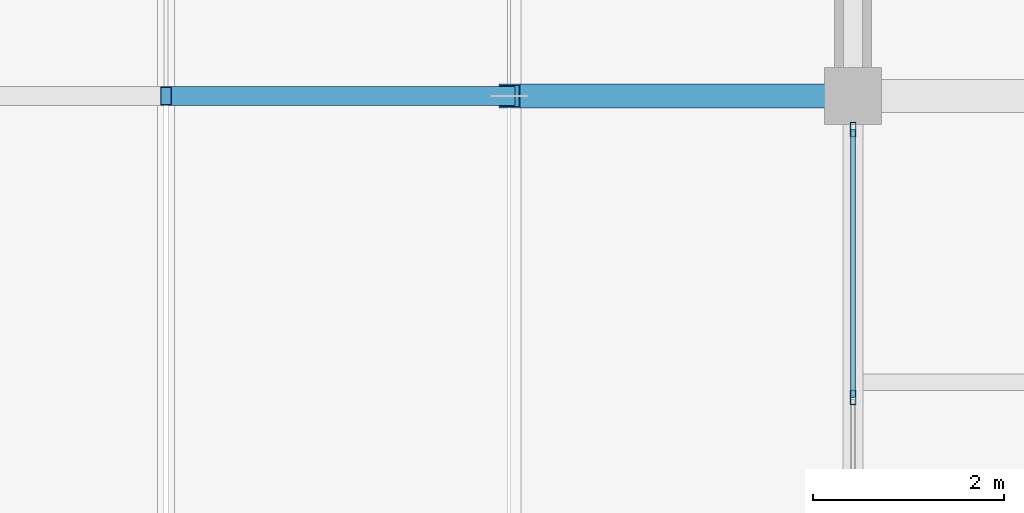
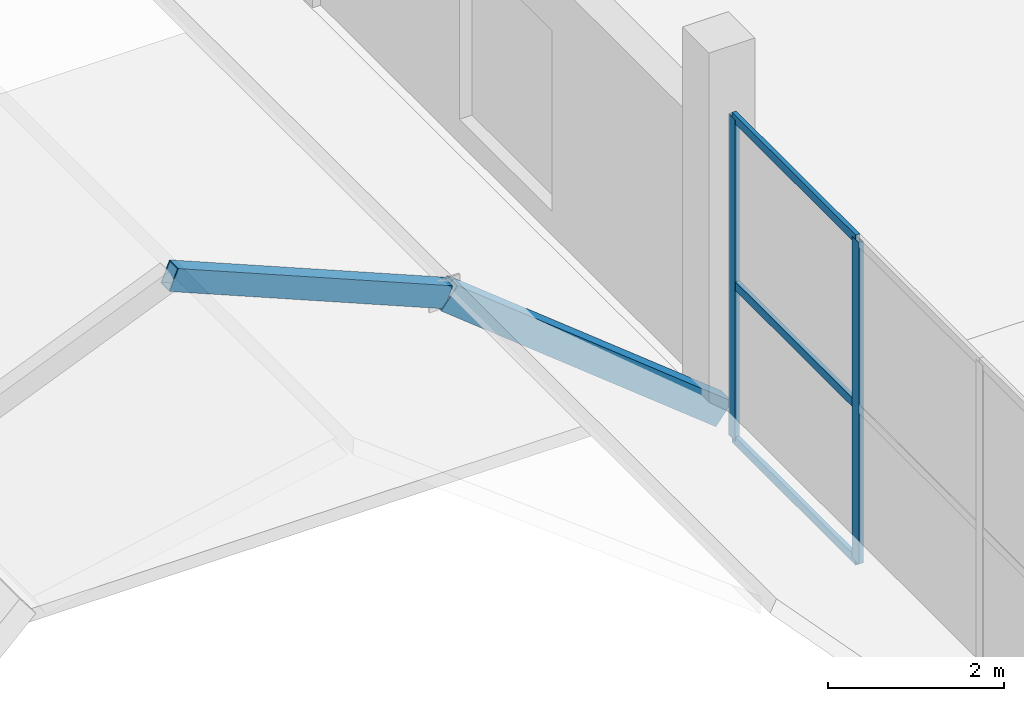
# One storey, part 47 of 141: 7 members, 1 element without a shape of its own.
"""IFC4 building model written with IfcOpenShell, lengths in metres."""

from ifc_helpers import new_model, si_unit, direction, frame, origin, origin_2d, place, context, subcontext, project, spatial, hollow_rectangle, extrude, material, layer, layer_set, material_profile, profile_set, type_object, element, aggregate, save


model = new_model("IFC4")

# Units and contexts
model_context = context("Model", 3, precision=1e-05, world=origin(), true_north=direction((0.0, 1.0)))
body_context = subcontext(model_context, "Body", "Model", "MODEL_VIEW")
ifc_project = project(units=[si_unit("LENGTHUNIT", "METRE"), si_unit("AREAUNIT", "SQUARE_METRE"), si_unit("VOLUMEUNIT", "CUBIC_METRE"), si_unit("PLANEANGLEUNIT", "RADIAN"), si_unit("MASSUNIT", "GRAM", prefix="KILO")], contexts=[model_context])

# Site, building, storey
site_placement = place(None, origin())
site = spatial("IfcSite", under=ifc_project, at=site_placement, CompositionType="ELEMENT")
building_placement = place(site_placement, origin())
building = spatial("IfcBuilding", under=site, at=building_placement, Name="Sundgate Opera House", CompositionType="ELEMENT")
storey_placement = place(building_placement, frame((0.0, 0.0, 11.39990234375)))
storey = spatial("IfcBuildingStorey", under=building, at=storey_placement, Name="L02", CompositionType="ELEMENT", Elevation=11.39990234375)

# Curtain wall, members
ifc_material_1 = material(Name="Anodized aluminium and low-iron glass", Category="aluminium")
ifc_layer = layer(ifc_material_1, 0.159912109375)
ifc_layer_set = layer_set([ifc_layer], Name="Anodized aluminium and low-iron glass")
curtain_wall_type = type_object("IfcCurtainWallType", Name="CW-STUDIO-DARK", PredefinedType="NOTDEFINED", material=ifc_layer_set)
curtain_wall_placement = place(storey_placement, origin())
curtain_wall = element("IfcCurtainWall", 1, at=curtain_wall_placement, inside=storey, type_object=curtain_wall_type, Name="L02 Curtain Wall CW068", PredefinedType="NOTDEFINED")
ifc_material_2 = material(Name="Anodized aluminium EN AW-6063", Category="aluminium")
ifc_material_profile_1 = material_profile(ifc_material_2, hollow_rectangle(XDim=0.06005859375, YDim=0.14990234375, WallThickness=0.00390625, at=origin_2d()), Name="CWM 150x60x4")
ifc_profile_set_1 = profile_set([ifc_material_profile_1], Name="Anodized aluminium EN AW-6063")
member_type_1 = type_object("IfcMemberType", Name="CWM-ALU-150x60", PredefinedType="MULLION", material=ifc_profile_set_1)
member_1_placement = place(storey_placement, frame((95.39990234375, 68.64990234375, 0.0), z_axis=(0.0, 0.0, 1.0), x_axis=(1.0, 0.0, 0.0)))
member_1 = element("IfcMember", 2, at=member_1_placement, type_object=member_type_1, Name="CW068 Mullion 1", PredefinedType="MULLION", context=body_context, shape_type="SweptSolid", body=[
    extrude(hollow_rectangle(XDim=0.06005859375, YDim=0.14990234375, WallThickness=0.00390625, at=origin_2d()), origin(), (0.0, 0.0, 1.0), 4.455078125),
])
member_2_placement = place(storey_placement, frame((95.39990234375, 65.841552734375, 0.0), z_axis=(0.0, 0.0, 1.0), x_axis=(1.0, 0.0, 0.0)))
member_2 = element("IfcMember", 3, at=member_2_placement, type_object=member_type_1, Name="CW068 Mullion 2", PredefinedType="MULLION", context=body_context, shape_type="SweptSolid", body=[
    extrude(hollow_rectangle(XDim=0.06005859375, YDim=0.14990234375, WallThickness=0.00390625, at=origin_2d()), origin(), (0.0, 0.0, 1.0), 4.455078125),
])
ifc_material_3 = material(Name="Anodized aluminium EN AW-6063", Category="aluminium")
ifc_material_profile_2 = material_profile(ifc_material_3, hollow_rectangle(XDim=0.054931640625, YDim=0.1201171875, WallThickness=0.00390625, at=origin_2d()), Name="CWT 120x55x4")
ifc_profile_set_2 = profile_set([ifc_material_profile_2], Name="Anodized aluminium EN AW-6063")
member_type_2 = type_object("IfcMemberType", Name="CWT-ALU-120x55", PredefinedType="USERDEFINED", material=ifc_profile_set_2)
member_3_placement = place(storey_placement, frame((95.39990234375, 68.64990234375, 0.0), z_axis=(0.0, -1.0, 0.0), x_axis=(1.0, 0.0, 0.0)))
member_3 = element("IfcMember", 4, at=member_3_placement, type_object=member_type_2, Name="CW068 Transom 1", ObjectType="TRANSOM", PredefinedType="USERDEFINED", context=body_context, shape_type="SweptSolid", body=[
    extrude(hollow_rectangle(XDim=0.054931640625, YDim=0.1201171875, WallThickness=0.00390625, at=origin_2d()), origin(), (0.0, 0.0, 1.0), 2.808349609375),
])
member_4_placement = place(storey_placement, frame((95.39990234375, 68.64990234375, 2.150146484375), z_axis=(0.0, -1.0, 0.0), x_axis=(1.0, 0.0, 0.0)))
member_4 = element("IfcMember", 5, at=member_4_placement, type_object=member_type_2, Name="CW068 Transom 2", ObjectType="TRANSOM", PredefinedType="USERDEFINED", context=body_context, shape_type="SweptSolid", body=[
    extrude(hollow_rectangle(XDim=0.054931640625, YDim=0.1201171875, WallThickness=0.00390625, at=origin_2d()), origin(), (0.0, 0.0, 1.0), 2.808349609375),
])
member_5_placement = place(storey_placement, frame((95.39990234375, 68.64990234375, 4.455078125), z_axis=(0.0, -1.0, 0.0), x_axis=(1.0, 0.0, 0.0)))
member_5 = element("IfcMember", 6, at=member_5_placement, type_object=member_type_2, Name="CW068 Transom 3", ObjectType="TRANSOM", PredefinedType="USERDEFINED", context=body_context, shape_type="SweptSolid", body=[
    extrude(hollow_rectangle(XDim=0.054931640625, YDim=0.1201171875, WallThickness=0.00390625, at=origin_2d()), origin(), (0.0, 0.0, 1.0), 2.808349609375),
])
aggregate(curtain_wall, [member_1, member_2, member_3, member_4, member_5])

# Members
ifc_material_4 = material(Name="Steel S355J2", Category="steel")
ifc_material_profile_3 = material_profile(ifc_material_4, hollow_rectangle(XDim=0.199951171875, YDim=0.300048828125, WallThickness=0.012451171875, at=origin_2d()), Name="RHS 300x200x12.5")
ifc_profile_set_3 = profile_set([ifc_material_profile_3], Name="Steel S355J2")
member_type_3 = type_object("IfcMemberType", Name="MB-ARCH-RHS300", PredefinedType="USERDEFINED", material=ifc_profile_set_3)
member_6_placement = place(storey_placement, frame((88.199951171875, 69.0, 4.550048828125), z_axis=(0.9230806271, 0.0, -0.384606494839), x_axis=(0.0, 1.0, 0.0)))
element("IfcMember", 7, at=member_6_placement, inside=storey, type_object=member_type_3, Name="Passage Parabolic Arch Rib M0337", ObjectType="ARCH RIB", PredefinedType="USERDEFINED", context=body_context, shape_type="SweptSolid", body=[
    extrude(hollow_rectangle(XDim=0.199951171875, YDim=0.300048828125, WallThickness=0.012451171875, at=origin_2d()), origin(), (0.0, 0.0, 1.0), 3.900146484375),
])
ifc_material_5 = material(Name="Steel S355ML", Category="steel")
ifc_material_profile_4 = material_profile(ifc_material_5, hollow_rectangle(XDim=0.25, YDim=0.35009765625, WallThickness=0.012451171875, at=origin_2d()), Name="RHS 350x250x12.5")
ifc_profile_set_4 = profile_set([ifc_material_profile_4], Name="Steel S355ML")
member_type_4 = type_object("IfcMemberType", Name="MB-ARCH-RHS350", PredefinedType="USERDEFINED", material=ifc_profile_set_4)
member_7_placement = place(storey_placement, frame((91.800048828125, 69.0, 3.050048828125), z_axis=(0.782445326099, 0.0, -0.622719288015), x_axis=(0.0, 1.0, 0.0)))
element("IfcMember", 8, at=member_7_placement, inside=storey, type_object=member_type_4, Name="Passage Parabolic Arch Rib M0338", ObjectType="ARCH RIB", PredefinedType="USERDEFINED", context=body_context, shape_type="SweptSolid", body=[
    extrude(hollow_rectangle(XDim=0.25, YDim=0.35009765625, WallThickness=0.012451171875, at=origin_2d()), origin(), (0.0, 0.0, 1.0), 4.600830078125),
])

save(model, "model.ifc")
